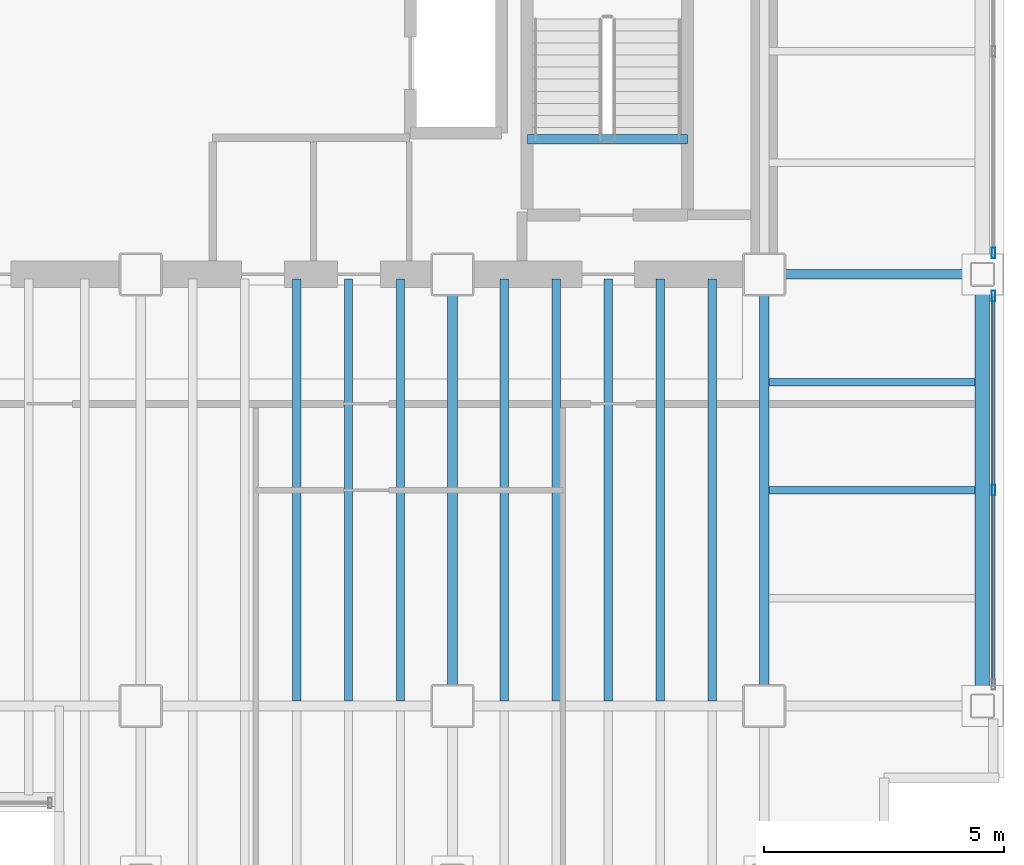
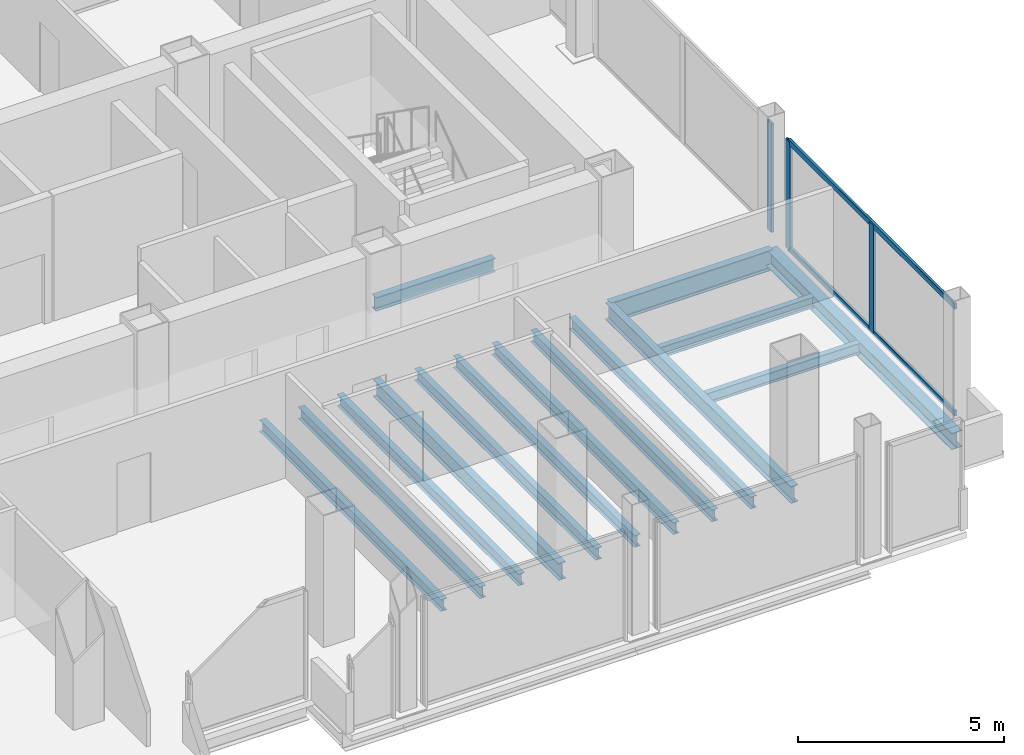
# One storey, part 12 of 19: 15 beams, 5 members, 2 elements without a shape of their own.
"""IFC4 building model written with IfcOpenShell, lengths in metres."""

from ifc_helpers import new_model, si_unit, direction, frame, origin, origin_2d, place, context, subcontext, project, spatial, hollow_rectangle, i_section, extrude, material, material_profile, profile_set, type_object, element, aggregate, save


model = new_model("IFC4")

# Units and contexts
model_context = context("Model", 3, precision=1e-05, world=origin(), true_north=direction((0.0, 1.0)))
body_context = subcontext(model_context, "Body", "Model", "MODEL_VIEW")
ifc_project = project(units=[si_unit("LENGTHUNIT", "METRE"), si_unit("AREAUNIT", "SQUARE_METRE"), si_unit("VOLUMEUNIT", "CUBIC_METRE"), si_unit("PLANEANGLEUNIT", "RADIAN"), si_unit("MASSUNIT", "GRAM", prefix="KILO")], contexts=[model_context])

# Site, building, storey
site_placement = place(None, origin())
site = spatial("IfcSite", under=ifc_project, at=site_placement, CompositionType="ELEMENT")
building_placement = place(site_placement, origin())
building = spatial("IfcBuilding", under=site, at=building_placement, Name="Noeulbin Bourse Tower", CompositionType="ELEMENT")
storey_placement = place(building_placement, frame((0.0, 0.0, 157.800048828125)))
storey = spatial("IfcBuildingStorey", under=building, at=storey_placement, Name="L39", CompositionType="ELEMENT", Elevation=157.800048828125)

# Beams
ifc_material_1 = material(Name="Steel S355", Category="steel")
ifc_material_profile_1 = material_profile(ifc_material_1, i_section(OverallWidth=0.199951171875, OverallDepth=0.5, WebThickness=0.010009765625, FlangeThickness=0.01611328125, FilletRadius=0.02001953125, at=origin_2d()), Name="H-500x200x10x16", Category="LoadBearing")
ifc_profile_set_1 = profile_set([ifc_material_profile_1], Name="Steel S355")
beam_type_1 = type_object("IfcBeamType", Name="BM-GRD-500", PredefinedType="USERDEFINED", material=ifc_profile_set_1)
for number, where, z_axis, x_axis, name in (
    (1, (37.5, 20.0, -0.429931640625), (0.0, 1.0, 0.0), (-1.0, 0.0, 0.0), "Tower Primary Girder NS L39-4.2"),
    (2, (44.0, 20.0, -0.429931640625), (0.0, 1.0, 0.0), (-1.0, 0.0, 0.0), "Tower Primary Girder NS L39-5.2"),
):
    element("IfcBeam", number, at=place(storey_placement, frame(where, z_axis=z_axis, x_axis=x_axis)), inside=storey, type_object=beam_type_1, Name=name, ObjectType="GIRDER", PredefinedType="USERDEFINED", context=body_context, shape_type="SweptSolid", body=[
        extrude(i_section(OverallWidth=0.199951171875, OverallDepth=0.5, WebThickness=0.010009765625, FlangeThickness=0.01611328125, FilletRadius=0.02001953125, at=origin_2d()), origin(), (0.0, 0.0, 1.0), 9.0),
    ])
ifc_material_profile_2 = material_profile(ifc_material_1, i_section(OverallWidth=0.199951171875, OverallDepth=0.60009765625, WebThickness=0.010986328125, FlangeThickness=0.01708984375, FilletRadius=0.02197265625, at=origin_2d()), Name="H-600x200x11x17", Category="LoadBearing")
ifc_profile_set_2 = profile_set([ifc_material_profile_2], Name="Steel S355")
beam_type_2 = type_object("IfcBeamType", Name="BM-GRD-600", PredefinedType="USERDEFINED", material=ifc_profile_set_2)
beam_1_placement = place(storey_placement, frame((44.0, 29.0, -0.47998046875), z_axis=(1.0, 0.0, 0.0), x_axis=(0.0, 1.0, 0.0)))
element("IfcBeam", 3, at=beam_1_placement, inside=storey, type_object=beam_type_2, Name="Tower Primary Girder EW L39-2.6", ObjectType="GIRDER", PredefinedType="USERDEFINED", context=body_context, shape_type="SweptSolid", body=[
    extrude(i_section(OverallWidth=0.199951171875, OverallDepth=0.60009765625, WebThickness=0.010986328125, FlangeThickness=0.01708984375, FilletRadius=0.02197265625, at=origin_2d()), origin(), (0.0, 0.0, 1.0), 4.550048828125),
])
ifc_material_profile_3 = material_profile(ifc_material_1, i_section(OverallWidth=0.159912109375, OverallDepth=0.320068359375, WebThickness=0.006591796875, FlangeThickness=0.010009765625, FilletRadius=0.012939453125, at=origin_2d()), Name="H-320x160x6.5x10", Category="LoadBearing")
ifc_profile_set_3 = profile_set([ifc_material_profile_3], Name="Steel S355")
beam_type_3 = type_object("IfcBeamType", Name="BM-JST-320", PredefinedType="JOIST", material=ifc_profile_set_3)
for number, where, z_axis, x_axis, name in (
    (4, (44.10009765625, 24.5, -0.340087890625), (1.0, 0.0, 0.0), (0.0, 1.0, 0.0), "Wing Composite Joist L39-E74"),
    (5, (44.10009765625, 26.75, -0.340087890625), (1.0, 0.0, 0.0), (0.0, 1.0, 0.0), "Wing Composite Joist L39-E75"),
):
    element("IfcBeam", number, at=place(storey_placement, frame(where, z_axis=z_axis, x_axis=x_axis)), inside=storey, type_object=beam_type_3, Name=name, PredefinedType="JOIST", context=body_context, shape_type="SweptSolid", body=[
        extrude(i_section(OverallWidth=0.159912109375, OverallDepth=0.320068359375, WebThickness=0.006591796875, FlangeThickness=0.010009765625, FilletRadius=0.012939453125, at=origin_2d()), origin(), (0.0, 0.0, 1.0), 4.2998046875),
    ])
ifc_material_profile_4 = material_profile(ifc_material_1, i_section(OverallWidth=0.175048828125, OverallDepth=0.35009765625, WebThickness=0.007080078125, FlangeThickness=0.010986328125, FilletRadius=0.013916015625, at=origin_2d()), Name="H-350x175x7x11", Category="LoadBearing")
ifc_profile_set_4 = profile_set([ifc_material_profile_4], Name="Steel S355")
beam_type_4 = type_object("IfcBeamType", Name="BM-JST-350", PredefinedType="JOIST", material=ifc_profile_set_4)
for number, where, z_axis, x_axis, name in (
    (6, (34.25, 20.10009765625, -0.35498046875), (0.0, 1.0, 0.0), (-1.0, 0.0, 0.0), "Tower Composite Joist L39-47"),
    (7, (35.333251953125, 20.10009765625, -0.35498046875), (0.0, 1.0, 0.0), (-1.0, 0.0, 0.0), "Tower Composite Joist L39-50"),
    (8, (36.416748046875, 20.10009765625, -0.35498046875), (0.0, 1.0, 0.0), (-1.0, 0.0, 0.0), "Tower Composite Joist L39-53"),
    (9, (38.583251953125, 20.10009765625, -0.35498046875), (0.0, 1.0, 0.0), (-1.0, 0.0, 0.0), "Tower Composite Joist L39-56"),
    (10, (39.666748046875, 20.10009765625, -0.35498046875), (0.0, 1.0, 0.0), (-1.0, 0.0, 0.0), "Tower Composite Joist L39-59"),
    (11, (40.75, 20.10009765625, -0.35498046875), (0.0, 1.0, 0.0), (-1.0, 0.0, 0.0), "Tower Composite Joist L39-62"),
    (12, (41.833251953125, 20.10009765625, -0.35498046875), (0.0, 1.0, 0.0), (-1.0, 0.0, 0.0), "Tower Composite Joist L39-65"),
    (13, (42.916748046875, 20.10009765625, -0.35498046875), (0.0, 1.0, 0.0), (-1.0, 0.0, 0.0), "Tower Composite Joist L39-68"),
):
    element("IfcBeam", number, at=place(storey_placement, frame(where, z_axis=z_axis, x_axis=x_axis)), inside=storey, type_object=beam_type_4, Name=name, PredefinedType="JOIST", context=body_context, shape_type="SweptSolid", body=[
        extrude(i_section(OverallWidth=0.175048828125, OverallDepth=0.35009765625, WebThickness=0.007080078125, FlangeThickness=0.010986328125, FilletRadius=0.013916015625, at=origin_2d()), origin(), (0.0, 0.0, 1.0), 8.7998046875),
    ])
ifc_material_profile_5 = material_profile(ifc_material_1, i_section(OverallWidth=0.199951171875, OverallDepth=0.39990234375, WebThickness=0.008056640625, FlangeThickness=0.012939453125, FilletRadius=0.01611328125, at=origin_2d()), Name="H-400x200x8x13", Category="LoadBearing")
ifc_profile_set_5 = profile_set([ifc_material_profile_5], Name="Steel S355")
beam_type_5 = type_object("IfcBeamType", Name="BM-SEC-400", PredefinedType="BEAM", material=ifc_profile_set_5)
beam_2_placement = place(storey_placement, frame((39.06005859375, 31.820068359375, -0.199951171875), z_axis=(1.0, 0.0, 0.0), x_axis=(0.0, 1.0, 0.0)))
element("IfcBeam", 14, at=beam_2_placement, inside=storey, type_object=beam_type_5, Name="Stair Threshold Trimmer Beam ST2-L39", PredefinedType="BEAM", context=body_context, shape_type="SweptSolid", body=[
    extrude(i_section(OverallWidth=0.199951171875, OverallDepth=0.39990234375, WebThickness=0.008056640625, FlangeThickness=0.012939453125, FilletRadius=0.01611328125, at=origin_2d()), origin(), (0.0, 0.0, 1.0), 3.33984375),
])
ifc_material_profile_6 = material_profile(ifc_material_1, i_section(OverallWidth=0.300048828125, OverallDepth=0.488037109375, WebThickness=0.010986328125, FlangeThickness=0.01806640625, FilletRadius=0.02197265625, at=origin_2d()), Name="H-488x300x11x18", Category="LoadBearing")
ifc_profile_set_6 = profile_set([ifc_material_profile_6], Name="Steel S355")
beam_type_6 = type_object("IfcBeamType", Name="BM-SPN-488", PredefinedType="SPANDREL", material=ifc_profile_set_6)
beam_3_placement = place(storey_placement, frame((48.550048828125, 20.0, -0.424072265625), z_axis=(0.0, 1.0, 0.0), x_axis=(-1.0, 0.0, 0.0)))
element("IfcBeam", 15, at=beam_3_placement, inside=storey, type_object=beam_type_6, Name="East Spandrel L39-1", PredefinedType="SPANDREL", context=body_context, shape_type="SweptSolid", body=[
    extrude(i_section(OverallWidth=0.300048828125, OverallDepth=0.488037109375, WebThickness=0.010986328125, FlangeThickness=0.01806640625, FilletRadius=0.02197265625, at=origin_2d()), origin(), (0.0, 0.0, 1.0), 9.0),
])

# Curtain wall, members
ifc_material_2 = material(Name="Dark Tinted Triple Glazing", Category="glass")
curtain_wall_type = type_object("IfcCurtainWallType", Name="CW-SYS-3", PredefinedType="NOTDEFINED", material=ifc_material_2)
curtain_wall_1_placement = place(storey_placement, origin())
curtain_wall_1 = element("IfcCurtainWall", 16, at=curtain_wall_1_placement, inside=storey, type_object=curtain_wall_type, Name="Unitised Curtain Wall CW-L39-E-S1", PredefinedType="NOTDEFINED")
ifc_material_3 = material(Name="Anodised Aluminium 6063-T6", Category="aluminium")
ifc_material_profile_7 = material_profile(ifc_material_3, hollow_rectangle(XDim=0.074951171875, YDim=0.219970703125, WallThickness=0.0048828125, InnerFilletRadius=0.00244140625, OuterFilletRadius=0.0048828125, at=origin_2d()), Name="ALU-MULL-75x220x5", Category="LoadBearing")
ifc_profile_set_7 = profile_set([ifc_material_profile_7], Name="Anodised Aluminium 6063-T6")
member_type_1 = type_object("IfcMemberType", Name="CW-SYS-3-MUL", PredefinedType="MULLION", material=ifc_profile_set_7)
member_1_placement = place(storey_placement, frame((48.780029296875, 24.5, -0.02001953125), z_axis=(0.0, 0.0, 1.0), x_axis=(1.0, 0.0, 0.0)))
member_1 = element("IfcMember", 17, at=member_1_placement, type_object=member_type_1, Name="Curtain Wall Mullion CW-L39-E-S1-M01", PredefinedType="MULLION", context=body_context, shape_type="SweptSolid", body=[
    extrude(hollow_rectangle(XDim=0.074951171875, YDim=0.219970703125, WallThickness=0.0048828125, InnerFilletRadius=0.00244140625, OuterFilletRadius=0.0048828125, at=origin_2d()), origin(), (0.0, 0.0, 1.0), 3.219970703125),
])
member_2_placement = place(storey_placement, frame((48.780029296875, 28.550048828125, -0.02001953125), z_axis=(0.0, 0.0, 1.0), x_axis=(1.0, 0.0, 0.0)))
member_2 = element("IfcMember", 18, at=member_2_placement, type_object=member_type_1, Name="Curtain Wall Mullion CW-L39-E-S1-M02", PredefinedType="MULLION", context=body_context, shape_type="SweptSolid", body=[
    extrude(hollow_rectangle(XDim=0.074951171875, YDim=0.219970703125, WallThickness=0.0048828125, InnerFilletRadius=0.00244140625, OuterFilletRadius=0.0048828125, at=origin_2d()), origin(), (0.0, 0.0, 1.0), 3.219970703125),
])

# Curtain wall, member
curtain_wall_2_placement = place(storey_placement, origin())
curtain_wall_2 = element("IfcCurtainWall", 19, at=curtain_wall_2_placement, inside=storey, type_object=curtain_wall_type, Name="Unitised Curtain Wall CW-L39-E-S2", PredefinedType="NOTDEFINED")
member_3_placement = place(storey_placement, frame((48.780029296875, 29.449951171875, -0.02001953125), z_axis=(0.0, 0.0, 1.0), x_axis=(1.0, 0.0, 0.0)))
member_3 = element("IfcMember", 20, at=member_3_placement, type_object=member_type_1, Name="Curtain Wall Mullion CW-L39-E-S2-M00", PredefinedType="MULLION", context=body_context, shape_type="SweptSolid", body=[
    extrude(hollow_rectangle(XDim=0.074951171875, YDim=0.219970703125, WallThickness=0.0048828125, InnerFilletRadius=0.00244140625, OuterFilletRadius=0.0048828125, at=origin_2d()), origin(), (0.0, 0.0, 1.0), 3.219970703125),
])
aggregate(curtain_wall_2, [member_3])

# Member
ifc_material_profile_8 = material_profile(ifc_material_3, hollow_rectangle(XDim=0.074951171875, YDim=0.159912109375, WallThickness=0.0048828125, InnerFilletRadius=0.00244140625, OuterFilletRadius=0.0048828125, at=origin_2d()), Name="ALU-TRAN-75x160x5", Category="LoadBearing")
ifc_profile_set_8 = profile_set([ifc_material_profile_8], Name="Anodised Aluminium 6063-T6")
member_type_2 = type_object("IfcMemberType", Name="CW-SYS-3-TRN", PredefinedType="USERDEFINED", material=ifc_profile_set_8)
member_4_placement = place(storey_placement, frame((48.780029296875, 20.4599609375, 0.010009765625), z_axis=(0.0, 1.0, 0.0), x_axis=(-1.0, 0.0, 0.0)))
member_4 = element("IfcMember", 21, at=member_4_placement, type_object=member_type_2, Name="Curtain Wall Transom CW-L39-E-S1-T00", ObjectType="TRANSOM", PredefinedType="USERDEFINED", context=body_context, shape_type="SweptSolid", body=[
    extrude(hollow_rectangle(XDim=0.074951171875, YDim=0.159912109375, WallThickness=0.0048828125, InnerFilletRadius=0.00244140625, OuterFilletRadius=0.0048828125, at=origin_2d()), origin(), (0.0, 0.0, 1.0), 8.080078125),
])

member_5_placement = place(storey_placement, frame((48.780029296875, 20.4599609375, 3.169921875), z_axis=(0.0, 1.0, 0.0), x_axis=(-1.0, 0.0, 0.0)))
member_5 = element("IfcMember", 22, at=member_5_placement, type_object=member_type_2, Name="Curtain Wall Transom CW-L39-E-S1-T01", ObjectType="TRANSOM", PredefinedType="USERDEFINED", context=body_context, shape_type="SweptSolid", body=[
    extrude(hollow_rectangle(XDim=0.074951171875, YDim=0.159912109375, WallThickness=0.0048828125, InnerFilletRadius=0.00244140625, OuterFilletRadius=0.0048828125, at=origin_2d()), origin(), (0.0, 0.0, 1.0), 8.080078125),
])

aggregate(curtain_wall_1, [member_1, member_2, member_4, member_5])

save(model, "model.ifc")
